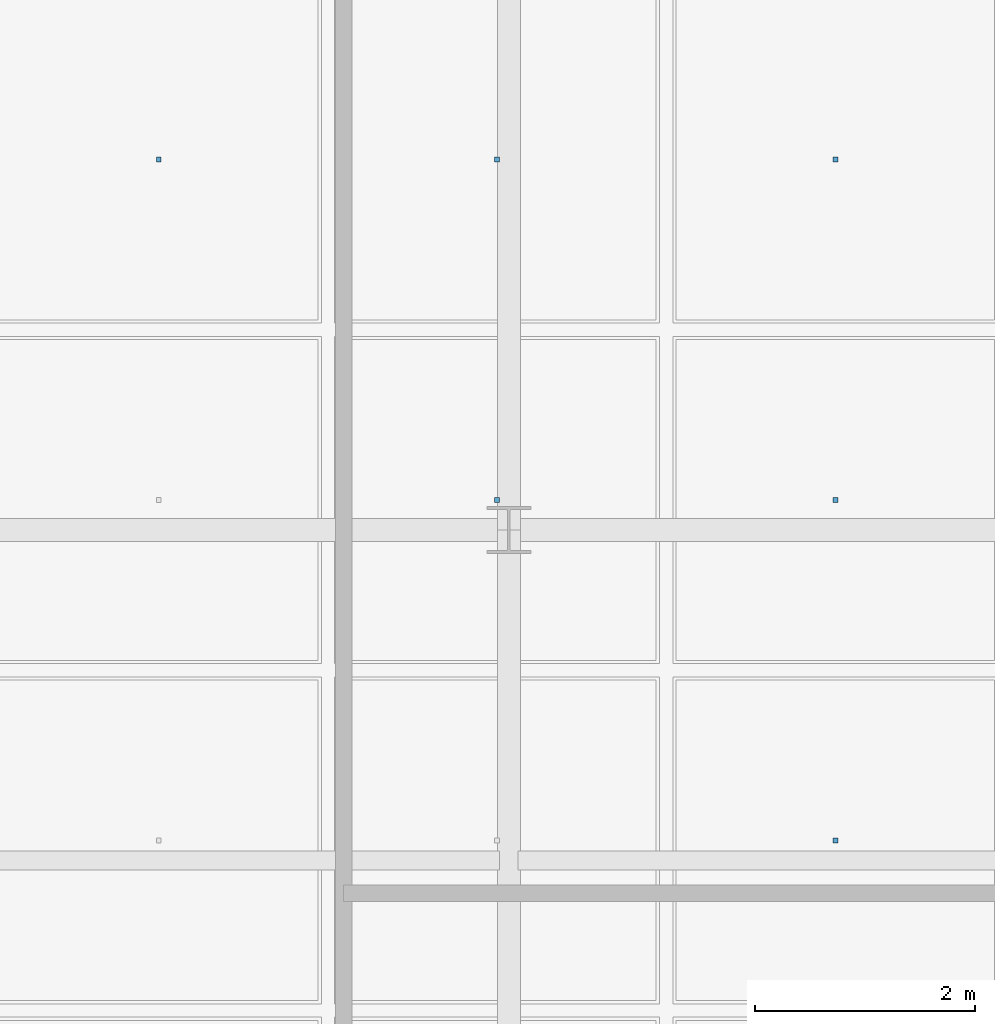
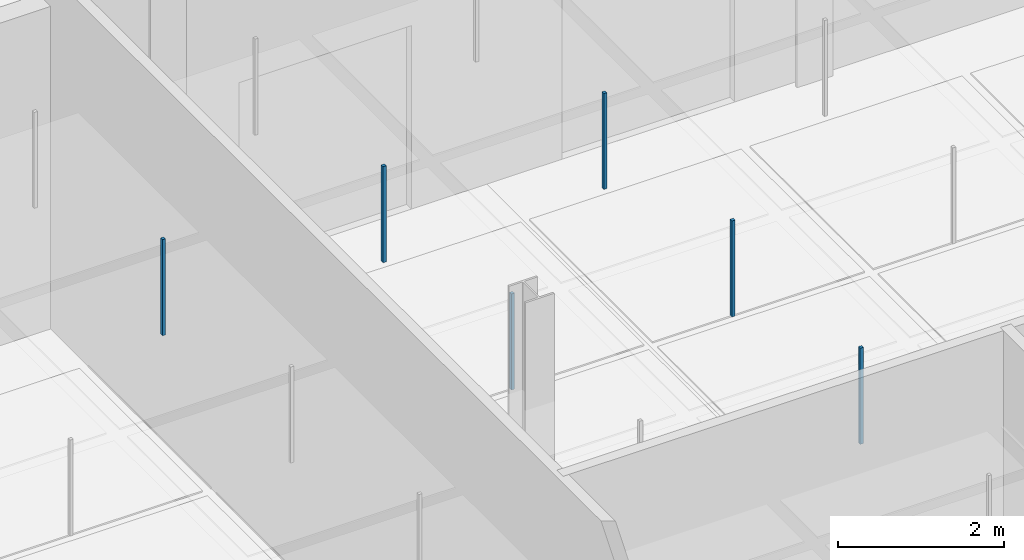
# One storey, part 118 of 180: 6 discrete accessories.
"""IFC4 building model written with IfcOpenShell, lengths in metres."""

from ifc_helpers import new_model, si_unit, direction, frame, origin, origin_2d, place, context, subcontext, project, spatial, rectangle, extrude, material, type_object, element, save


model = new_model("IFC4")

# Units and contexts
model_context = context("Model", 3, precision=1e-05, world=origin(), true_north=direction((0.0, 1.0)))
body_context = subcontext(model_context, "Body", "Model", "MODEL_VIEW")
ifc_project = project(units=[si_unit("LENGTHUNIT", "METRE"), si_unit("AREAUNIT", "SQUARE_METRE"), si_unit("VOLUMEUNIT", "CUBIC_METRE"), si_unit("PLANEANGLEUNIT", "RADIAN"), si_unit("MASSUNIT", "GRAM", prefix="KILO"), si_unit("THERMODYNAMICTEMPERATUREUNIT", "KELVIN"), si_unit("POWERUNIT", "WATT")], contexts=[model_context])

# Site, building, storey
site_placement = place(None, origin())
site = spatial("IfcSite", under=ifc_project, at=site_placement, CompositionType="ELEMENT")
building_placement = place(site_placement, origin())
building = spatial("IfcBuilding", under=site, at=building_placement, Name="Tallowbark Science Centre", CompositionType="ELEMENT")
storey_placement = place(building_placement, origin())
storey = spatial("IfcBuildingStorey", under=building, at=storey_placement, Name="L00", CompositionType="ELEMENT", Elevation=0.0)

# Discrete accessories
ifc_material = material(Name="Galvanised Steel Grade C350L0 (350 MPa)", Category="steel")
discrete_accessory_type = type_object("IfcDiscreteAccessoryType", Name="ACC-CLG-HNG", PredefinedType="BRACKET", material=ifc_material)
for number, where, z_axis, x_axis, name in (
    (1, (73.3212890625, 34.863525390625, 3.8095703125), (0.0, 0.0, 1.0), (1.0, 0.0, 0.0), "Ceiling Hanger Bracket L00-116"),
    (2, (76.392822265625, 31.772705078125, 3.8095703125), (0.0, 0.0, 1.0), (1.0, 0.0, 0.0), "Ceiling Hanger Bracket L00-126"),
    (3, (76.392822265625, 34.863525390625, 3.8095703125), (0.0, 0.0, 1.0), (1.0, 0.0, 0.0), "Ceiling Hanger Bracket L00-127"),
    (4, (79.46435546875, 28.681884765625, 3.8095703125), (0.0, 0.0, 1.0), (1.0, 0.0, 0.0), "Ceiling Hanger Bracket L00-136"),
    (5, (79.46435546875, 31.772705078125, 3.8095703125), (0.0, 0.0, 1.0), (1.0, 0.0, 0.0), "Ceiling Hanger Bracket L00-137"),
    (6, (79.46435546875, 34.863525390625, 3.8095703125), (0.0, 0.0, 1.0), (1.0, 0.0, 0.0), "Ceiling Hanger Bracket L00-138"),
):
    element("IfcDiscreteAccessory", number, at=place(storey_placement, frame(where, z_axis=z_axis, x_axis=x_axis)), inside=storey, type_object=discrete_accessory_type, Name=name, PredefinedType="BRACKET", context=body_context, shape_type="SweptSolid", body=[
        extrude(rectangle(XDim=0.044921875, YDim=0.044921875, at=origin_2d()), origin(), (0.0, 0.0, 1.0), 1.41357421875),
    ])

save(model, "model.ifc")
